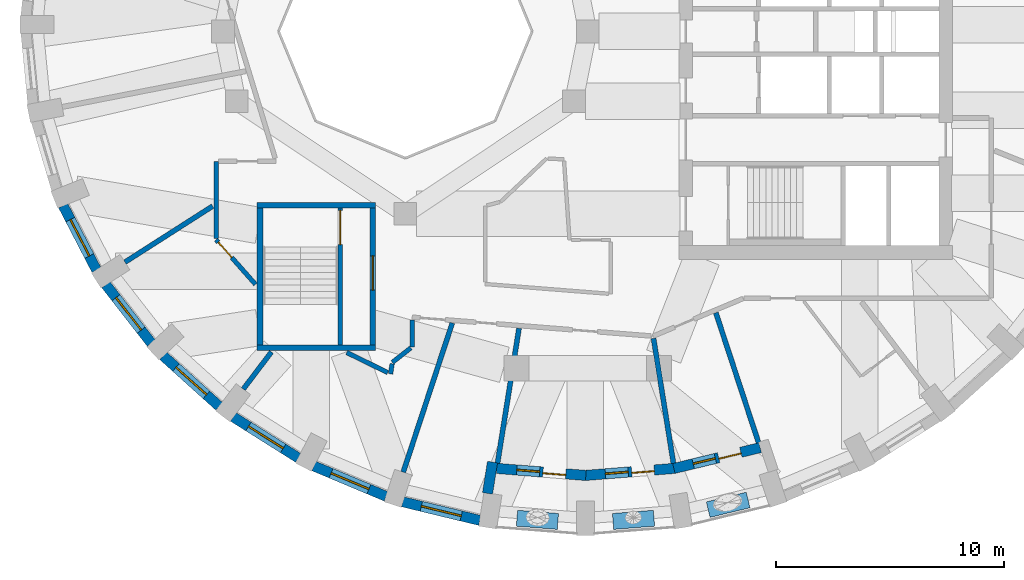
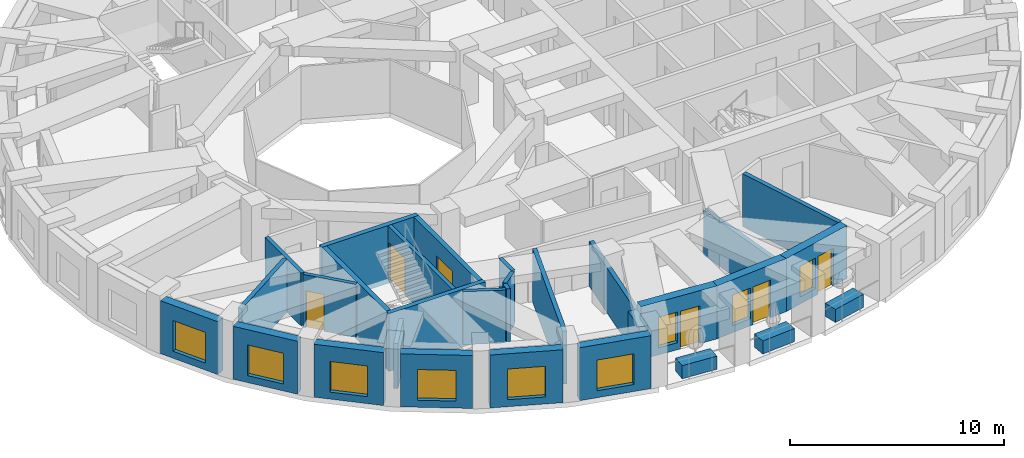
# One storey, part 3 of 12: 30 walls, 9 windows, 6 doors, 15 openings.
"""IFC4 building model written with IfcOpenShell, lengths in metres."""

from ifc_helpers import new_model, si_unit, direction, frame, frame_2d, origin, place, context, subcontext, project, spatial, rectangle, extrude, material, layer, layer_set, constituent, constituent_set, type_object, element, fill, save


model = new_model("IFC4")

# Units and contexts
model_context = context("Model", 3, precision=1e-05, world=origin(), true_north=direction((0.0, 1.0)))
body_context = subcontext(model_context, "Body", "Model", "MODEL_VIEW")
ifc_project = project(units=[si_unit("LENGTHUNIT", "METRE"), si_unit("AREAUNIT", "SQUARE_METRE"), si_unit("VOLUMEUNIT", "CUBIC_METRE"), si_unit("PLANEANGLEUNIT", "RADIAN"), si_unit("MASSUNIT", "GRAM", prefix="KILO")], contexts=[model_context])

# Site, building, storey
site_placement = place(None, origin())
site = spatial("IfcSite", under=ifc_project, at=site_placement, CompositionType="ELEMENT")
building_placement = place(site_placement, origin())
building = spatial("IfcBuilding", under=site, at=building_placement, Name="Taillehof Tower", CompositionType="ELEMENT")
storey_placement = place(building_placement, frame((0.0, 0.0, 243.199951171875)))
storey = spatial("IfcBuildingStorey", under=building, at=storey_placement, Name="L69", CompositionType="ELEMENT", Elevation=243.199951171875)

# Wall, opening, window
ifc_material_1 = material(Name="Brick masonry", Category="masonry")
ifc_layer_1 = layer(ifc_material_1, 0.449951171875)
ifc_layer_set_1 = layer_set([ifc_layer_1], Name="Brick infill wall 450")
wall_type_1 = type_object("IfcWallType", Name="Brick infill wall 450", PredefinedType="SOLIDWALL", material=ifc_layer_set_1)
wall_1_placement = place(storey_placement, frame((-23.010009765625, -7.6396484375, 0.0), z_axis=(0.0, 0.0, 1.0), x_axis=(0.459921155255, -0.887959757505, 0.0)))
wall_1 = element("IfcWall", 1, at=wall_1_placement, inside=storey, type_object=wall_type_1, Name="Brick wall L69 bay 21", PredefinedType="SOLIDWALL", context=body_context, shape_type="SweptSolid", body=[
    extrude(rectangle(XDim=3.185546875, YDim=0.449951171875, at=frame_2d((1.5927734375, 0.0))), origin(), (0.0, 0.0, 1.0), 3.02001953125),
])
opening_1_placement = place(wall_1_placement, frame((0.69287109375, 0.0, 0.39990234375)))
opening_1 = element("IfcOpeningElement", 2, at=opening_1_placement, cuts=wall_1, Name="Opening W4", PredefinedType="OPENING", context=body_context, shape_type="SweptSolid", body=[
    extrude(rectangle(XDim=1.800048828125, YDim=1.75, at=frame_2d((0.89990234375, 0.875))), frame((0.0, 0.23486328125, 0.0), z_axis=(0.0, -1.0, 0.0), x_axis=(1.0, 0.0, 0.0)), (0.0, 0.0, 1.0), 0.469970703125),
])
ifc_material_2 = material(Name="Aluminium window frame with clear double glazing", Category="aluminium")
window_type_1 = type_object("IfcWindowType", Name="Deep-set window 1800x1750", PartitioningType="SINGLE_PANEL", PredefinedType="WINDOW", material=ifc_material_2)
window_1_placement = place(opening_1_placement, origin())
window_1 = element("IfcWindow", 3, at=window_1_placement, inside=storey, type_object=window_type_1, Name="W4", OverallHeight=1.75, OverallWidth=1.800048828125, PartitioningType="SINGLE_PANEL", PredefinedType="WINDOW", context=body_context, shape_type="SweptSolid", body=[
    extrude(rectangle(XDim=1.800048828125, YDim=1.75, at=frame_2d((0.89990234375, 0.875))), frame((0.0, 0.034912109375, 0.0), z_axis=(0.0, -1.0, 0.0), x_axis=(1.0, 0.0, 0.0)), (0.0, 0.0, 1.0), 0.06005859375),
])
fill(opening_1, window_1)

wall_2_placement = place(storey_placement, frame((-21.135009765625, -11.108642578125, 0.0), z_axis=(0.0, 0.0, 1.0), x_axis=(0.613898970825, -0.789384604372, 0.0)))
wall_2 = element("IfcWall", 4, at=wall_2_placement, inside=storey, type_object=wall_type_1, Name="Brick wall L69 bay 22", PredefinedType="SOLIDWALL", context=body_context, shape_type="SweptSolid", body=[
    extrude(rectangle(XDim=3.2470703125, YDim=0.449951171875, at=frame_2d((1.62353515625, 0.0))), origin(), (0.0, 0.0, 1.0), 3.02001953125),
])
opening_2_placement = place(wall_2_placement, frame((0.7236328125, 0.0, 0.39990234375)))
opening_2 = element("IfcOpeningElement", 5, at=opening_2_placement, cuts=wall_2, Name="Opening W4", PredefinedType="OPENING", context=body_context, shape_type="SweptSolid", body=[
    extrude(rectangle(XDim=1.800048828125, YDim=1.75, at=frame_2d((0.89990234375, 0.875))), frame((0.0, 0.23486328125, 0.0), z_axis=(0.0, -1.0, 0.0), x_axis=(1.0, 0.0, 0.0)), (0.0, 0.0, 1.0), 0.469970703125),
])
window_2_placement = place(opening_2_placement, origin())
window_2 = element("IfcWindow", 6, at=window_2_placement, inside=storey, type_object=window_type_1, Name="W4", OverallHeight=1.75, OverallWidth=1.800048828125, PartitioningType="SINGLE_PANEL", PredefinedType="WINDOW", context=body_context, shape_type="SweptSolid", body=[
    extrude(rectangle(XDim=1.800048828125, YDim=1.75, at=frame_2d((0.89990234375, 0.875))), frame((0.0, 0.034912109375, 0.0), z_axis=(0.0, -1.0, 0.0), x_axis=(1.0, 0.0, 0.0)), (0.0, 0.0, 1.0), 0.06005859375),
])
fill(opening_2, window_2)

wall_3_placement = place(storey_placement, frame((-18.623779296875, -14.228515625, 0.0), z_axis=(0.0, 0.0, 1.0), x_axis=(0.743166014219, -0.669107073128, 0.0)))
wall_3 = element("IfcWall", 7, at=wall_3_placement, inside=storey, type_object=wall_type_1, Name="Brick wall L69 bay 23", PredefinedType="SOLIDWALL", context=body_context, shape_type="SweptSolid", body=[
    extrude(rectangle(XDim=3.31640625, YDim=0.449951171875, at=frame_2d((1.658203125, 0.0))), origin(), (0.0, 0.0, 1.0), 3.02001953125),
])
opening_3_placement = place(wall_3_placement, frame((0.75830078125, 0.0, 0.39990234375)))
opening_3 = element("IfcOpeningElement", 8, at=opening_3_placement, cuts=wall_3, Name="Opening W4", PredefinedType="OPENING", context=body_context, shape_type="SweptSolid", body=[
    extrude(rectangle(XDim=1.800048828125, YDim=1.75, at=frame_2d((0.89990234375, 0.875))), frame((0.0, 0.23486328125, 0.0), z_axis=(0.0, -1.0, 0.0), x_axis=(1.0, 0.0, 0.0)), (0.0, 0.0, 1.0), 0.469970703125),
])
window_3_placement = place(opening_3_placement, origin())
window_3 = element("IfcWindow", 9, at=window_3_placement, inside=storey, type_object=window_type_1, Name="W4", OverallHeight=1.75, OverallWidth=1.800048828125, PartitioningType="SINGLE_PANEL", PredefinedType="WINDOW", context=body_context, shape_type="SweptSolid", body=[
    extrude(rectangle(XDim=1.800048828125, YDim=1.75, at=frame_2d((0.89990234375, 0.875))), frame((0.0, 0.034912109375, 0.0), z_axis=(0.0, -1.0, 0.0), x_axis=(1.0, 0.0, 0.0)), (0.0, 0.0, 1.0), 0.06005859375),
])
fill(opening_3, window_3)

wall_4_placement = place(storey_placement, frame((-15.552978515625, -16.906005859375, 0.0), z_axis=(0.0, 0.0, 1.0), x_axis=(0.845929139811, -0.53329531258, 0.0)))
wall_4 = element("IfcWall", 10, at=wall_4_placement, inside=storey, type_object=wall_type_1, Name="Brick wall L69 bay 24", PredefinedType="SOLIDWALL", context=body_context, shape_type="SweptSolid", body=[
    extrude(rectangle(XDim=3.384521484375, YDim=0.449951171875, at=frame_2d((1.6923828125, 0.0))), origin(), (0.0, 0.0, 1.0), 3.02001953125),
])
opening_4_placement = place(wall_4_placement, frame((0.792236328125, 0.0, 0.39990234375)))
opening_4 = element("IfcOpeningElement", 11, at=opening_4_placement, cuts=wall_4, Name="Opening W4", PredefinedType="OPENING", context=body_context, shape_type="SweptSolid", body=[
    extrude(rectangle(XDim=1.800048828125, YDim=1.75, at=frame_2d((0.89990234375, 0.875))), frame((0.0, 0.23486328125, 0.0), z_axis=(0.0, -1.0, 0.0), x_axis=(1.0, 0.0, 0.0)), (0.0, 0.0, 1.0), 0.469970703125),
])
window_4_placement = place(opening_4_placement, origin())
window_4 = element("IfcWindow", 12, at=window_4_placement, inside=storey, type_object=window_type_1, Name="W4", OverallHeight=1.75, OverallWidth=1.800048828125, PartitioningType="SINGLE_PANEL", PredefinedType="WINDOW", context=body_context, shape_type="SweptSolid", body=[
    extrude(rectangle(XDim=1.800048828125, YDim=1.75, at=frame_2d((0.89990234375, 0.875))), frame((0.0, 0.034912109375, 0.0), z_axis=(0.0, -1.0, 0.0), x_axis=(1.0, 0.0, 0.0)), (0.0, 0.0, 1.0), 0.06005859375),
])
fill(opening_4, window_4)

wall_5_placement = place(storey_placement, frame((-12.015625, -19.06201171875, 0.0), z_axis=(0.0, 0.0, 1.0), x_axis=(0.922049934692, -0.3870709469, 0.0)))
wall_5 = element("IfcWall", 13, at=wall_5_placement, inside=storey, type_object=wall_type_1, Name="Brick wall L69 bay 25", PredefinedType="SOLIDWALL", context=body_context, shape_type="SweptSolid", body=[
    extrude(rectangle(XDim=3.443115234375, YDim=0.449951171875, at=frame_2d((1.7216796875, 0.0))), origin(), (0.0, 0.0, 1.0), 3.02001953125),
])
opening_5_placement = place(wall_5_placement, frame((0.82177734375, 0.0, 0.39990234375)))
opening_5 = element("IfcOpeningElement", 14, at=opening_5_placement, cuts=wall_5, Name="Opening W4", PredefinedType="OPENING", context=body_context, shape_type="SweptSolid", body=[
    extrude(rectangle(XDim=1.800048828125, YDim=1.75, at=frame_2d((0.89990234375, 0.875))), frame((0.0, 0.23486328125, 0.0), z_axis=(0.0, -1.0, 0.0), x_axis=(1.0, 0.0, 0.0)), (0.0, 0.0, 1.0), 0.469970703125),
])
window_5_placement = place(opening_5_placement, origin())
window_5 = element("IfcWindow", 15, at=window_5_placement, inside=storey, type_object=window_type_1, Name="W4", OverallHeight=1.75, OverallWidth=1.800048828125, PartitioningType="SINGLE_PANEL", PredefinedType="WINDOW", context=body_context, shape_type="SweptSolid", body=[
    extrude(rectangle(XDim=1.800048828125, YDim=1.75, at=frame_2d((0.89990234375, 0.875))), frame((0.0, 0.034912109375, 0.0), z_axis=(0.0, -1.0, 0.0), x_axis=(1.0, 0.0, 0.0)), (0.0, 0.0, 1.0), 0.06005859375),
])
fill(opening_5, window_5)

wall_6_placement = place(storey_placement, frame((-8.11865234375, -20.6318359375, 0.0), z_axis=(0.0, 0.0, 1.0), x_axis=(0.972115243017, -0.234503633859, 0.0)))
wall_6 = element("IfcWall", 16, at=wall_6_placement, inside=storey, type_object=wall_type_1, Name="Brick wall L69 bay 26", PredefinedType="SOLIDWALL", context=body_context, shape_type="SweptSolid", body=[
    extrude(rectangle(XDim=3.486572265625, YDim=0.449951171875, at=frame_2d((1.7431640625, 0.0))), origin(), (0.0, 0.0, 1.0), 3.02001953125),
])
opening_6_placement = place(wall_6_placement, frame((0.84326171875, 0.0, 0.39990234375)))
opening_6 = element("IfcOpeningElement", 17, at=opening_6_placement, cuts=wall_6, Name="Opening W4", PredefinedType="OPENING", context=body_context, shape_type="SweptSolid", body=[
    extrude(rectangle(XDim=1.800048828125, YDim=1.75, at=frame_2d((0.89990234375, 0.875))), frame((0.0, 0.23486328125, 0.0), z_axis=(0.0, -1.0, 0.0), x_axis=(1.0, 0.0, 0.0)), (0.0, 0.0, 1.0), 0.469970703125),
])
window_6_placement = place(opening_6_placement, origin())
window_6 = element("IfcWindow", 18, at=window_6_placement, inside=storey, type_object=window_type_1, Name="W4", OverallHeight=1.75, OverallWidth=1.800048828125, PartitioningType="SINGLE_PANEL", PredefinedType="WINDOW", context=body_context, shape_type="SweptSolid", body=[
    extrude(rectangle(XDim=1.800048828125, YDim=1.75, at=frame_2d((0.89990234375, 0.875))), frame((0.0, 0.034912109375, 0.0), z_axis=(0.0, -1.0, 0.0), x_axis=(1.0, 0.0, 0.0)), (0.0, 0.0, 1.0), 0.06005859375),
])
fill(opening_6, window_6)

# Wall
wall_7_placement = place(storey_placement, frame((-4.39599609375, -20.262939453125, 0.0), z_axis=(0.0, 0.0, 1.0), x_axis=(0.157360300025, 0.98754125786, 0.0)))
element("IfcWall", 19, at=wall_7_placement, inside=storey, type_object=wall_type_1, Name="Brick reveal L69 pocket 8", PredefinedType="SOLIDWALL", context=body_context, shape_type="SweptSolid", body=[
    extrude(rectangle(XDim=1.39013671875, YDim=0.449951171875, at=frame_2d((0.695068359375, 0.0))), origin(), (0.0, 0.0, 1.0), 2.570068359375),
])

# Wall, openings, door, window
wall_8_placement = place(storey_placement, frame((-3.993408203125, -19.166748046875, 0.0), z_axis=(0.0, 0.0, 1.0), x_axis=(0.996896863697, -0.078718759836, 0.0)))
wall_8 = element("IfcWall", 20, at=wall_8_placement, inside=storey, type_object=wall_type_1, Name="Brick wall L69 pocket bay 27", PredefinedType="SOLIDWALL", context=body_context, shape_type="SweptSolid", body=[
    extrude(rectangle(XDim=3.92333984375, YDim=0.449951171875, at=frame_2d((1.961669921875, 0.0))), origin(), (0.0, 0.0, 1.0), 3.02001953125),
])
opening_7_placement = place(wall_8_placement, frame((0.88671875, 0.0, 0.39990234375)))
opening_7 = element("IfcOpeningElement", 21, at=opening_7_placement, cuts=wall_8, Name="Opening W5", PredefinedType="OPENING", context=body_context, shape_type="SweptSolid", body=[
    extrude(rectangle(XDim=1.0, YDim=1.75, at=frame_2d((0.5, 0.875))), frame((0.0, 0.23486328125, 0.0), z_axis=(0.0, -1.0, 0.0), x_axis=(1.0, 0.0, 0.0)), (0.0, 0.0, 1.0), 0.469970703125),
])
opening_8_placement = place(wall_8_placement, frame((2.03662109375, 0.0, 0.0)))
opening_8 = element("IfcOpeningElement", 22, at=opening_8_placement, cuts=wall_8, Name="Opening D6991", PredefinedType="OPENING", context=body_context, shape_type="SweptSolid", body=[
    extrude(rectangle(XDim=1.0, YDim=2.14990234375, at=frame_2d((0.5, 1.074951171875))), frame((0.0, 0.23486328125, 0.0), z_axis=(0.0, -1.0, 0.0), x_axis=(1.0, 0.0, 0.0)), (0.0, 0.0, 1.0), 0.469970703125),
])
ifc_material_3 = material(Name="Aluminium door frame with clear double glazing", Category="aluminium")
door_type_1 = type_object("IfcDoorType", Name="Balcony door 1000x2150", OperationType="SINGLE_SWING_RIGHT", PredefinedType="DOOR", material=ifc_material_3)
door_1_placement = place(opening_8_placement, frame((1.0, 0.0, 0.0), z_axis=(0.0, 0.0, 1.0), x_axis=(-1.0, 0.0, 0.0)))
door_1 = element("IfcDoor", 23, at=door_1_placement, inside=storey, type_object=door_type_1, Name="Balcony door L69 bay 27", OperationType="SINGLE_SWING_RIGHT", OverallHeight=2.14990234375, OverallWidth=1.0, PredefinedType="DOOR", context=body_context, shape_type="SweptSolid", body=[
    extrude(rectangle(XDim=1.0, YDim=2.14990234375, at=frame_2d((0.5, 1.074951171875))), frame((0.0, 0.0751953125, 0.0), z_axis=(0.0, -1.0, 0.0), x_axis=(1.0, 0.0, 0.0)), (0.0, 0.0, 1.0), 0.050048828125),
])
fill(opening_8, door_1)
ifc_material_4 = material(Name="Aluminium window frame with clear double glazing", Category="aluminium")
window_type_2 = type_object("IfcWindowType", Name="Fixed window 1000x1750", PartitioningType="SINGLE_PANEL", PredefinedType="WINDOW", material=ifc_material_4)
window_7_placement = place(opening_7_placement, origin())
window_7 = element("IfcWindow", 24, at=window_7_placement, inside=storey, type_object=window_type_2, Name="W5", OverallHeight=1.75, OverallWidth=1.0, PartitioningType="SINGLE_PANEL", PredefinedType="WINDOW", context=body_context, shape_type="SweptSolid", body=[
    extrude(rectangle(XDim=1.0, YDim=1.75, at=frame_2d((0.5, 0.875))), frame((0.0, 0.034912109375, 0.0), z_axis=(0.0, -1.0, 0.0), x_axis=(1.0, 0.0, 0.0)), (0.0, 0.0, 1.0), 0.06005859375),
])
fill(opening_7, window_7)

wall_9_placement = place(storey_placement, frame((-0.11767578125, -19.4755859375, 0.0), z_axis=(0.0, 0.0, 1.0), x_axis=(0.99689571809, 0.078733266494, 0.0)))
wall_9 = element("IfcWall", 25, at=wall_9_placement, inside=storey, type_object=wall_type_1, Name="Brick wall L69 pocket bay 28", PredefinedType="SOLIDWALL", context=body_context, shape_type="SweptSolid", body=[
    extrude(rectangle(XDim=3.941162109375, YDim=0.449951171875, at=frame_2d((1.970703125, 0.0))), origin(), (0.0, 0.0, 1.0), 3.02001953125),
])
opening_9_placement = place(wall_9_placement, frame((0.8955078125, 0.0, 0.39990234375)))
opening_9 = element("IfcOpeningElement", 26, at=opening_9_placement, cuts=wall_9, Name="Opening W5", PredefinedType="OPENING", context=body_context, shape_type="SweptSolid", body=[
    extrude(rectangle(XDim=1.0, YDim=1.75, at=frame_2d((0.5, 0.875))), frame((0.0, 0.23486328125, 0.0), z_axis=(0.0, -1.0, 0.0), x_axis=(1.0, 0.0, 0.0)), (0.0, 0.0, 1.0), 0.469970703125),
])
opening_10_placement = place(wall_9_placement, frame((2.045654296875, 0.0, 0.0)))
opening_10 = element("IfcOpeningElement", 27, at=opening_10_placement, cuts=wall_9, Name="Opening D6992", PredefinedType="OPENING", context=body_context, shape_type="SweptSolid", body=[
    extrude(rectangle(XDim=1.0, YDim=2.14990234375, at=frame_2d((0.5, 1.074951171875))), frame((0.0, 0.23486328125, 0.0), z_axis=(0.0, -1.0, 0.0), x_axis=(1.0, 0.0, 0.0)), (0.0, 0.0, 1.0), 0.469970703125),
])
door_2_placement = place(opening_10_placement, frame((1.0, 0.0, 0.0), z_axis=(0.0, 0.0, 1.0), x_axis=(-1.0, 0.0, 0.0)))
door_2 = element("IfcDoor", 28, at=door_2_placement, inside=storey, type_object=door_type_1, Name="Balcony door L69 bay 28", OperationType="SINGLE_SWING_LEFT", OverallHeight=2.14990234375, OverallWidth=1.0, PredefinedType="DOOR", context=body_context, shape_type="SweptSolid", body=[
    extrude(rectangle(XDim=1.0, YDim=2.14990234375, at=frame_2d((0.5, 1.074951171875))), frame((0.0, 0.0751953125, 0.0), z_axis=(0.0, -1.0, 0.0), x_axis=(1.0, 0.0, 0.0)), (0.0, 0.0, 1.0), 0.050048828125),
])
fill(opening_10, door_2)
window_8_placement = place(opening_9_placement, origin())
window_8 = element("IfcWindow", 29, at=window_8_placement, inside=storey, type_object=window_type_2, Name="W5", OverallHeight=1.75, OverallWidth=1.0, PartitioningType="SINGLE_PANEL", PredefinedType="WINDOW", context=body_context, shape_type="SweptSolid", body=[
    extrude(rectangle(XDim=1.0, YDim=1.75, at=frame_2d((0.5, 0.875))), frame((0.0, 0.034912109375, 0.0), z_axis=(0.0, -1.0, 0.0), x_axis=(1.0, 0.0, 0.0)), (0.0, 0.0, 1.0), 0.06005859375),
])
fill(opening_9, window_8)

wall_10_placement = place(storey_placement, frame((3.776123046875, -19.1708984375, 0.0), z_axis=(0.0, 0.0, 1.0), x_axis=(0.971940055516, 0.235228672751, 0.0)))
wall_10 = element("IfcWall", 30, at=wall_10_placement, inside=storey, type_object=wall_type_1, Name="Brick wall L69 pocket bay 29", PredefinedType="SOLIDWALL", context=body_context, shape_type="SweptSolid", body=[
    extrude(rectangle(XDim=3.895263671875, YDim=0.449951171875, at=frame_2d((1.94775390625, 0.0))), origin(), (0.0, 0.0, 1.0), 3.02001953125),
])
opening_11_placement = place(wall_10_placement, frame((0.87255859375, 0.0, 0.39990234375)))
opening_11 = element("IfcOpeningElement", 31, at=opening_11_placement, cuts=wall_10, Name="Opening W5", PredefinedType="OPENING", context=body_context, shape_type="SweptSolid", body=[
    extrude(rectangle(XDim=1.0, YDim=1.75, at=frame_2d((0.5, 0.875))), frame((0.0, 0.23486328125, 0.0), z_axis=(0.0, -1.0, 0.0), x_axis=(1.0, 0.0, 0.0)), (0.0, 0.0, 1.0), 0.469970703125),
])
opening_12_placement = place(wall_10_placement, frame((2.022705078125, 0.0, 0.0)))
opening_12 = element("IfcOpeningElement", 32, at=opening_12_placement, cuts=wall_10, Name="Opening D6993", PredefinedType="OPENING", context=body_context, shape_type="SweptSolid", body=[
    extrude(rectangle(XDim=1.0, YDim=2.14990234375, at=frame_2d((0.5, 1.074951171875))), frame((0.0, 0.23486328125, 0.0), z_axis=(0.0, -1.0, 0.0), x_axis=(1.0, 0.0, 0.0)), (0.0, 0.0, 1.0), 0.469970703125),
])
door_3_placement = place(opening_12_placement, frame((1.0, 0.0, 0.0), z_axis=(0.0, 0.0, 1.0), x_axis=(-1.0, 0.0, 0.0)))
door_3 = element("IfcDoor", 33, at=door_3_placement, inside=storey, type_object=door_type_1, Name="Balcony door L69 bay 29", OperationType="SINGLE_SWING_LEFT", OverallHeight=2.14990234375, OverallWidth=1.0, PredefinedType="DOOR", context=body_context, shape_type="SweptSolid", body=[
    extrude(rectangle(XDim=1.0, YDim=2.14990234375, at=frame_2d((0.5, 1.074951171875))), frame((0.0, 0.0751953125, 0.0), z_axis=(0.0, -1.0, 0.0), x_axis=(1.0, 0.0, 0.0)), (0.0, 0.0, 1.0), 0.050048828125),
])
fill(opening_12, door_3)
window_9_placement = place(opening_11_placement, origin())
window_9 = element("IfcWindow", 34, at=window_9_placement, inside=storey, type_object=window_type_2, Name="W5", OverallHeight=1.75, OverallWidth=1.0, PartitioningType="SINGLE_PANEL", PredefinedType="WINDOW", context=body_context, shape_type="SweptSolid", body=[
    extrude(rectangle(XDim=1.0, YDim=1.75, at=frame_2d((0.5, 0.875))), frame((0.0, 0.034912109375, 0.0), z_axis=(0.0, -1.0, 0.0), x_axis=(1.0, 0.0, 0.0)), (0.0, 0.0, 1.0), 0.06005859375),
])
fill(opening_11, window_9)

# Walls
ifc_material_5 = material(Name="Gypsum board on steel studs, two layers each side", Category="steel")
ifc_layer_2 = layer(ifc_material_5, 0.199951171875)
ifc_layer_set_2 = layer_set([ifc_layer_2], Name="Compartment wall corridor 200")
wall_type_2 = type_object("IfcWallType", Name="Compartment wall corridor 200", PredefinedType="PARTITIONING", material=ifc_layer_set_2)
wall_11_placement = place(storey_placement, frame((-7.699951171875, -12.655029296875, 0.0), z_axis=(0.0, 0.0, 1.0), x_axis=(0.0, -1.0, 0.0)))
element("IfcWall", 35, at=wall_11_placement, inside=storey, type_object=wall_type_2, Name="Compartment wall", PredefinedType="PARTITIONING", context=body_context, shape_type="SweptSolid", body=[
    extrude(rectangle(XDim=1.17822265625, YDim=0.199951171875, at=frame_2d((0.589111328125, 0.0))), origin(), (0.0, 0.0, 1.0), 3.02001953125),
])
wall_12_placement = place(storey_placement, frame((-7.762451171875, -13.883056640625, 0.0), z_axis=(0.0, 0.0, 1.0), x_axis=(-0.786062424188, -0.618147122682, 0.0)))
element("IfcWall", 36, at=wall_12_placement, inside=storey, type_object=wall_type_2, Name="Compartment wall", PredefinedType="PARTITIONING", context=body_context, shape_type="SweptSolid", body=[
    extrude(rectangle(XDim=1.026611328125, YDim=0.199951171875, at=frame_2d((0.51318359375, 0.0))), origin(), (0.0, 0.0, 1.0), 3.02001953125),
])
wall_13_placement = place(storey_placement, frame((-8.578857421875, -14.576904296875, 0.0), z_axis=(0.0, 0.0, 1.0), x_axis=(-0.156959618358, -0.987605021355, 0.0)))
element("IfcWall", 37, at=wall_13_placement, inside=storey, type_object=wall_type_2, Name="Compartment wall", PredefinedType="PARTITIONING", context=body_context, shape_type="SweptSolid", body=[
    extrude(rectangle(XDim=0.45263671875, YDim=0.199951171875, at=frame_2d((0.226318359375, 0.0))), origin(), (0.0, 0.0, 1.0), 3.02001953125),
])
wall_14_placement = place(storey_placement, frame((-8.7763671875, -14.96240234375, 0.0), z_axis=(0.0, 0.0, 1.0), x_axis=(-0.897985962104, 0.44002410373, 0.0)))
element("IfcWall", 38, at=wall_14_placement, inside=storey, type_object=wall_type_2, Name="Compartment wall", PredefinedType="PARTITIONING", context=body_context, shape_type="SweptSolid", body=[
    extrude(rectangle(XDim=2.000732421875, YDim=0.199951171875, at=frame_2d((1.00048828125, 0.0))), origin(), (0.0, 0.0, 1.0), 3.02001953125),
])

# Wall, opening, door
wall_15_placement = place(storey_placement, frame((-14.57080078125, -11.0966796875, 0.0), z_axis=(0.0, 0.0, 1.0), x_axis=(-0.661964672275, 0.749535037646, 0.0)))
wall_15 = element("IfcWall", 39, at=wall_15_placement, inside=storey, type_object=wall_type_2, Name="Compartment wall", PredefinedType="PARTITIONING", context=body_context, shape_type="SweptSolid", body=[
    extrude(rectangle(XDim=2.6123046875, YDim=0.199951171875, at=frame_2d((1.30615234375, 0.0))), origin(), (0.0, 0.0, 1.0), 3.02001953125),
])
opening_13_placement = place(wall_15_placement, frame((1.572265625, 0.0, 0.0)))
opening_13 = element("IfcOpeningElement", 40, at=opening_13_placement, cuts=wall_15, Name="Opening D6949", PredefinedType="OPENING", context=body_context, shape_type="SweptSolid", body=[
    extrude(rectangle(XDim=0.89990234375, YDim=2.10009765625, at=frame_2d((0.449951171875, 1.050048828125))), frame((0.0, 0.10986328125, 0.0), z_axis=(0.0, -1.0, 0.0), x_axis=(1.0, 0.0, 0.0)), (0.0, 0.0, 1.0), 0.219970703125),
])
ifc_material_6 = material(Name="Timber door leaf in steel frame", Category="steel")
door_type_2 = type_object("IfcDoorType", Name="Service room door EI 30 900 x 2100", OperationType="SINGLE_SWING_LEFT", PredefinedType="DOOR", material=ifc_material_6)
door_4_placement = place(opening_13_placement, origin())
door_4 = element("IfcDoor", 41, at=door_4_placement, inside=storey, type_object=door_type_2, Name="D6949", OperationType="SINGLE_SWING_RIGHT", OverallHeight=2.10009765625, OverallWidth=0.89990234375, PredefinedType="DOOR", context=body_context, shape_type="SweptSolid", body=[
    extrude(rectangle(XDim=0.89990234375, YDim=2.10009765625, at=frame_2d((0.449951171875, 1.050048828125))), frame((0.0, 0.02490234375, 0.0), z_axis=(0.0, -1.0, 0.0), x_axis=(1.0, 0.0, 0.0)), (0.0, 0.0, 1.0), 0.050048828125),
])
fill(opening_13, door_4)

# Walls
wall_16_placement = place(storey_placement, frame((-16.300048828125, -9.07861328125, 0.0), z_axis=(0.0, 0.0, 1.0), x_axis=(0.0, 1.0, 0.0)))
element("IfcWall", 42, at=wall_16_placement, inside=storey, type_object=wall_type_2, Name="Compartment wall", PredefinedType="PARTITIONING", context=body_context, shape_type="SweptSolid", body=[
    extrude(rectangle(XDim=3.378662109375, YDim=0.199951171875, at=frame_2d((1.689453125, 0.0))), origin(), (0.0, 0.0, 1.0), 3.02001953125),
])
ifc_material_7 = material(Name="Gypsum board on double steel studs with mineral wool", Category="steel")
ifc_layer_3 = layer(ifc_material_7, 0.219970703125)
ifc_layer_set_3 = layer_set([ifc_layer_3], Name="Compartment wall guest room 220")
wall_type_3 = type_object("IfcWallType", Name="Compartment wall guest room 220", PredefinedType="PARTITIONING", material=ifc_layer_set_3)
wall_17_placement = place(storey_placement, frame((-20.2958984375, -10.12109375, 0.0), z_axis=(0.0, 0.0, 1.0), x_axis=(0.842562742951, 0.538598202922, 0.0)))
element("IfcWall", 43, at=wall_17_placement, inside=storey, type_object=wall_type_3, Name="Compartment wall", PredefinedType="PARTITIONING", context=body_context, shape_type="SweptSolid", body=[
    extrude(rectangle(XDim=4.563720703125, YDim=0.219970703125, at=frame_2d((2.28173828125, 0.0))), origin(), (0.0, 0.0, 1.0), 3.02001953125),
])
wall_18_placement = place(storey_placement, frame((-15.10595703125, -15.687255859375, 0.0), z_axis=(0.0, 0.0, 1.0), x_axis=(0.603910579463, 0.797052076099, 0.0)))
element("IfcWall", 44, at=wall_18_placement, inside=storey, type_object=wall_type_3, Name="Compartment wall", PredefinedType="PARTITIONING", context=body_context, shape_type="SweptSolid", body=[
    extrude(rectangle(XDim=2.0439453125, YDim=0.219970703125, at=frame_2d((1.02197265625, 0.0))), origin(), (0.0, 0.0, 1.0), 2.570068359375),
])
wall_19_placement = place(storey_placement, frame((-8.09130859375, -19.331787109375, 0.0), z_axis=(0.0, 0.0, 1.0), x_axis=(0.312309235722, 0.949980495212, 0.0)))
element("IfcWall", 45, at=wall_19_placement, inside=storey, type_object=wall_type_3, Name="Compartment wall", PredefinedType="PARTITIONING", context=body_context, shape_type="SweptSolid", body=[
    extrude(rectangle(XDim=6.883056640625, YDim=0.219970703125, at=frame_2d((3.44140625, 0.0))), origin(), (0.0, 0.0, 1.0), 3.02001953125),
])
wall_20_placement = place(storey_placement, frame((-3.9580078125, -18.94384765625, 0.0), z_axis=(0.0, 0.0, 1.0), x_axis=(0.157275726572, 0.98755473055, 0.0)))
element("IfcWall", 46, at=wall_20_placement, inside=storey, type_object=wall_type_3, Name="Compartment wall", PredefinedType="PARTITIONING", context=body_context, shape_type="SweptSolid", body=[
    extrude(rectangle(XDim=5.9951171875, YDim=0.219970703125, at=frame_2d((2.99755859375, 0.0))), origin(), (0.0, 0.0, 1.0), 2.570068359375),
])
wall_21_placement = place(storey_placement, frame((3.758056640625, -18.94384765625, 0.0), z_axis=(0.0, 0.0, 1.0), x_axis=(-0.157259396774, 0.987557331058, 0.0)))
element("IfcWall", 47, at=wall_21_placement, inside=storey, type_object=wall_type_3, Name="Compartment wall", PredefinedType="PARTITIONING", context=body_context, shape_type="SweptSolid", body=[
    extrude(rectangle(XDim=5.548583984375, YDim=0.219970703125, at=frame_2d((2.7744140625, 0.0))), origin(), (0.0, 0.0, 1.0), 2.570068359375),
])
wall_22_placement = place(storey_placement, frame((7.49169921875, -18.040283203125, 0.0), z_axis=(0.0, 0.0, 1.0), x_axis=(-0.312328122622, 0.949974285873, 0.0)))
element("IfcWall", 48, at=wall_22_placement, inside=storey, type_object=wall_type_3, Name="Compartment wall", PredefinedType="PARTITIONING", context=body_context, shape_type="SweptSolid", body=[
    extrude(rectangle(XDim=5.99560546875, YDim=0.219970703125, at=frame_2d((2.997802734375, 0.0))), origin(), (0.0, 0.0, 1.0), 3.02001953125),
])
ifc_material_8 = material(Name="Concrete C30/37 precast", Category="concrete")
ifc_constituent_1 = constituent(ifc_material_8, Name="Structure", Category="concrete")
ifc_material_9 = material(Name="Insulated lining")
ifc_constituent_2 = constituent(ifc_material_9, Name="Lining")
ifc_constituent_set = constituent_set(constituents=[ifc_constituent_1, ifc_constituent_2], Name="Planter trough 700x750")
wall_type_4 = type_object("IfcWallType", Name="Planter trough 700x750", PredefinedType="USERDEFINED", material=ifc_constituent_set)
for number, where, z_axis, x_axis, name in (
    (49, (-3.104248046875, -21.351806640625, 0.0), (0.0, 0.0, 1.0), (0.996911576184, -0.078532218042, 0.0), "Planter L69 bay 27"),
    (50, (1.10986328125, -21.4931640625, 0.0), (0.0, 0.0, 1.0), (0.996911576184, 0.078532218042, 0.0), "Planter L69 bay 28"),
    (51, (5.282470703125, -20.974609375, 0.0), (0.0, 0.0, 1.0), (0.972112071369, 0.234516781275, 0.0), "Planter L69 bay 29"),
):
    element("IfcWall", number, at=place(storey_placement, frame(where, z_axis=z_axis, x_axis=x_axis)), inside=storey, type_object=wall_type_4, Name=name, ObjectType="PLANTER", PredefinedType="USERDEFINED", context=body_context, shape_type="SweptSolid", body=[
        extrude(rectangle(XDim=1.800048828125, YDim=0.699951171875, at=frame_2d((0.89990234375, 0.0))), origin(), (0.0, 0.0, 1.0), 0.75),
    ])

# Wall, opening, door
ifc_material_10 = material(Name="Concrete C50/60", Category="concrete")
ifc_layer_4 = layer(ifc_material_10, 0.199951171875)
ifc_layer_set_4 = layer_set([ifc_layer_4], Name="Shaft wall C50/60 200")
wall_type_5 = type_object("IfcWallType", Name="Shaft wall C50/60 200", PredefinedType="SHEAR", material=ifc_layer_set_4)
wall_23_placement = place(storey_placement, frame((-10.85009765625, -13.75, 0.0), z_axis=(0.0, 0.0, 1.0), x_axis=(0.0, 1.0, 0.0)))
wall_23 = element("IfcWall", 52, at=wall_23_placement, inside=storey, type_object=wall_type_5, Name="Shaft wall SW", PredefinedType="SHEAR", context=body_context, shape_type="SweptSolid", body=[
    extrude(rectangle(XDim=6.0, YDim=0.199951171875, at=frame_2d((3.0, 0.0))), origin(), (0.0, 0.0, 1.0), 3.02001953125),
])
opening_14_placement = place(wall_23_placement, frame((4.39990234375, 0.0, 0.0)))
opening_14 = element("IfcOpeningElement", 53, at=opening_14_placement, cuts=wall_23, Name="Opening D6913", PredefinedType="OPENING", context=body_context, shape_type="SweptSolid", body=[
    extrude(rectangle(XDim=1.5, YDim=2.10009765625, at=frame_2d((0.75, 1.050048828125))), frame((0.0, 0.10986328125, 0.0), z_axis=(0.0, -1.0, 0.0), x_axis=(1.0, 0.0, 0.0)), (0.0, 0.0, 1.0), 0.219970703125),
])
ifc_material_11 = material(Name="Steel-faced fire door", Category="steel")
door_type_3 = type_object("IfcDoorType", Name="Stair door 1500x2100", OperationType="DOUBLE_DOOR_SINGLE_SWING", PredefinedType="DOOR", material=ifc_material_11)
door_5_placement = place(opening_14_placement, origin())
door_5 = element("IfcDoor", 54, at=door_5_placement, inside=storey, type_object=door_type_3, Name="Stair lobby door S4", OperationType="DOUBLE_DOOR_SINGLE_SWING", OverallHeight=2.10009765625, OverallWidth=1.5, PredefinedType="DOOR", context=body_context, shape_type="SweptSolid", body=[
    extrude(rectangle(XDim=1.5, YDim=2.10009765625, at=frame_2d((0.75, 1.050048828125))), frame((0.0, 0.02490234375, 0.0), z_axis=(0.0, -1.0, 0.0), x_axis=(1.0, 0.0, 0.0)), (0.0, 0.0, 1.0), 0.050048828125),
])
fill(opening_14, door_5)

# Wall
ifc_material_12 = material(Name="Concrete C50/60", Category="concrete")
ifc_layer_5 = layer(ifc_material_12, 0.25)
ifc_layer_set_5 = layer_set([ifc_layer_5], Name="Stair wall C50/60 250")
wall_type_6 = type_object("IfcWallType", Name="Stair wall C50/60 250", PredefinedType="SHEAR", material=ifc_layer_set_5)
wall_24_placement = place(storey_placement, frame((-14.375, -13.75, -0.280029296875), z_axis=(0.0, 0.0, 1.0), x_axis=(0.0, 1.0, 0.0)))
element("IfcWall", 55, at=wall_24_placement, inside=storey, type_object=wall_type_6, Name="Stair wall SC", PredefinedType="SHEAR", context=body_context, shape_type="SweptSolid", body=[
    extrude(rectangle(XDim=6.0, YDim=0.25, at=frame_2d((3.0, 0.0))), origin(), (0.0, 0.0, 1.0), 3.300048828125),
])

# Wall, opening, door
wall_25_placement = place(storey_placement, frame((-9.425048828125, -13.75, -0.280029296875), z_axis=(0.0, 0.0, 1.0), x_axis=(0.0, 1.0, 0.0)))
wall_25 = element("IfcWall", 56, at=wall_25_placement, inside=storey, type_object=wall_type_6, Name="Stair wall SC", PredefinedType="SHEAR", context=body_context, shape_type="SweptSolid", body=[
    extrude(rectangle(XDim=6.0, YDim=0.25, at=frame_2d((3.0, 0.0))), origin(), (0.0, 0.0, 1.0), 3.300048828125),
])
opening_15_placement = place(wall_25_placement, frame((2.39990234375, 0.0, 0.280029296875)))
opening_15 = element("IfcOpeningElement", 57, at=opening_15_placement, cuts=wall_25, Name="Opening D6916", PredefinedType="OPENING", context=body_context, shape_type="SweptSolid", body=[
    extrude(rectangle(XDim=1.5, YDim=2.10009765625, at=frame_2d((0.75, 1.050048828125))), frame((0.0, 0.135009765625, 0.0), z_axis=(0.0, -1.0, 0.0), x_axis=(1.0, 0.0, 0.0)), (0.0, 0.0, 1.0), 0.27001953125),
])
door_6_placement = place(opening_15_placement, origin())
door_6 = element("IfcDoor", 58, at=door_6_placement, inside=storey, type_object=door_type_3, Name="Stair door S4", OperationType="DOUBLE_DOOR_SINGLE_SWING", OverallHeight=2.10009765625, OverallWidth=1.5, PredefinedType="DOOR", context=body_context, shape_type="SweptSolid", body=[
    extrude(rectangle(XDim=1.5, YDim=2.10009765625, at=frame_2d((0.75, 1.050048828125))), frame((0.0, 0.02490234375, 0.0), z_axis=(0.0, -1.0, 0.0), x_axis=(1.0, 0.0, 0.0)), (0.0, 0.0, 1.0), 0.050048828125),
])
fill(opening_15, door_6)

# Walls
for number, where, z_axis, x_axis, name in (
    (59, (-14.5, -7.625, -0.280029296875), (0.0, 0.0, 1.0), (1.0, 0.0, 0.0), "Stair wall SC"),
    (60, (-14.5, -13.875, -0.280029296875), (0.0, 0.0, 1.0), (1.0, 0.0, 0.0), "Stair wall SC"),
):
    element("IfcWall", number, at=place(storey_placement, frame(where, z_axis=z_axis, x_axis=x_axis)), inside=storey, type_object=wall_type_6, Name=name, PredefinedType="SHEAR", context=body_context, shape_type="SweptSolid", body=[
        extrude(rectangle(XDim=5.199951171875, YDim=0.25, at=frame_2d((2.60009765625, 0.0))), origin(), (0.0, 0.0, 1.0), 3.300048828125),
    ])

save(model, "model.ifc")
